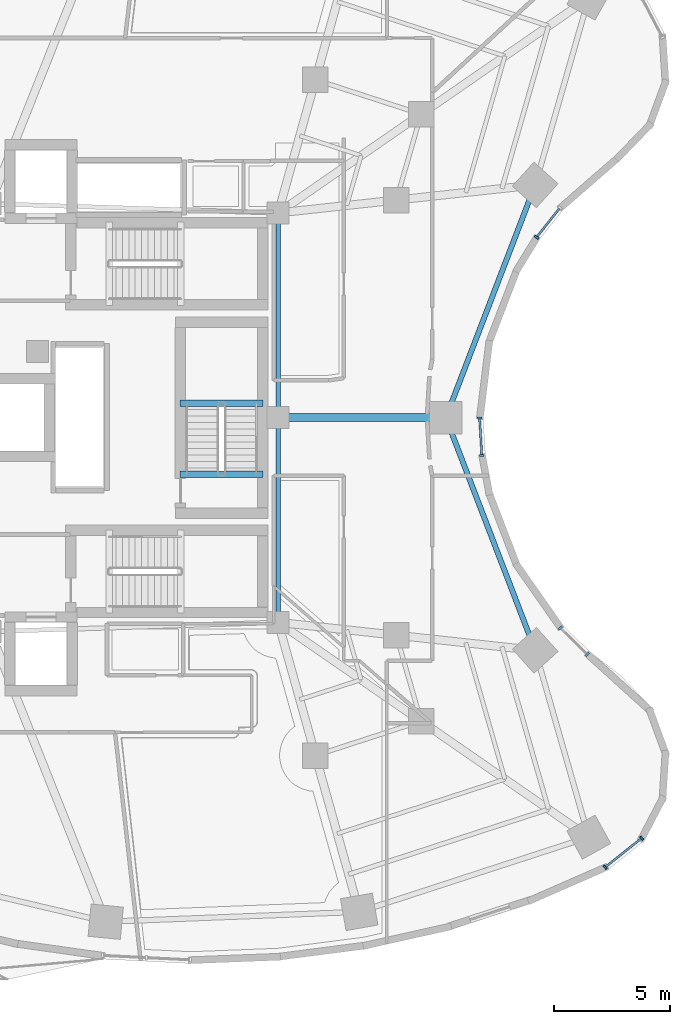
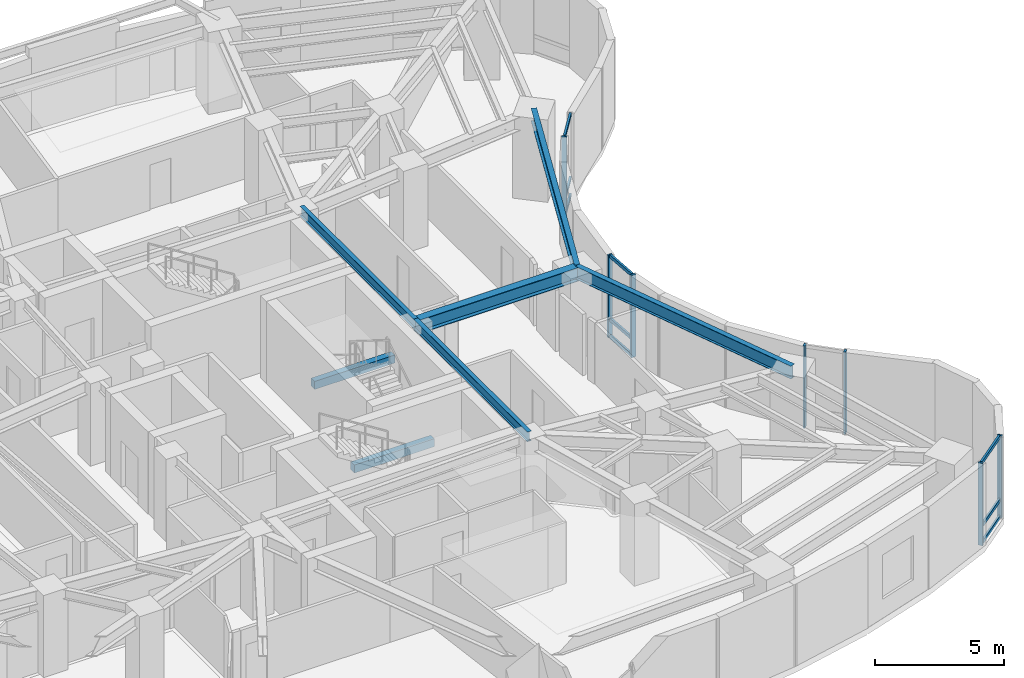
# One storey, part 4 of 15: 16 members, 7 beams, 4 elements without a shape of their own.
"""IFC4 building model written with IfcOpenShell, lengths in metres."""

from ifc_helpers import new_model, si_unit, direction, frame, origin, origin_2d, place, context, subcontext, project, spatial, rectangle, i_section, extrude, material, layer, layer_set, material_profile, profile_set, type_object, element, aggregate, save


model = new_model("IFC4")

# Units and contexts
model_context = context("Model", 3, precision=1e-05, world=origin(), true_north=direction((0.0, 1.0)))
body_context = subcontext(model_context, "Body", "Model", "MODEL_VIEW")
ifc_project = project(units=[si_unit("LENGTHUNIT", "METRE"), si_unit("AREAUNIT", "SQUARE_METRE"), si_unit("VOLUMEUNIT", "CUBIC_METRE"), si_unit("PLANEANGLEUNIT", "RADIAN"), si_unit("MASSUNIT", "GRAM", prefix="KILO")], contexts=[model_context])

# Site, building, storey
site_placement = place(None, origin())
site = spatial("IfcSite", under=ifc_project, at=site_placement, CompositionType="ELEMENT")
building_placement = place(site_placement, origin())
building = spatial("IfcBuilding", under=site, at=building_placement, Name="Korentha Bioscience Tower", CompositionType="ELEMENT")
storey_placement = place(building_placement, frame((0.0, 0.0, 76.199951171875)))
storey = spatial("IfcBuildingStorey", under=building, at=storey_placement, Name="L17", CompositionType="ELEMENT", Elevation=76.199951171875)

# Beams
ifc_material_1 = material(Name="Concrete C50", Category="concrete")
ifc_material_profile_1 = material_profile(ifc_material_1, rectangle(XDim=0.280029296875, YDim=0.3798828125, at=origin_2d()), Name="Concrete C50")
ifc_profile_set_1 = profile_set([ifc_material_profile_1], Name="Concrete C50 (ST-HB380)")
beam_type_1 = type_object("IfcBeamType", Name="Concrete Stair Header Beam RC 280x380", PredefinedType="BEAM", material=ifc_profile_set_1)
for number, where, z_axis, x_axis, name in (
    (1, (36.89990234375, 24.550048828125, -0.18994140625), (-1.0, 0.0, 0.0), (0.0, -1.0, 0.0), "L17 ST-3 Concrete Stair Header Beam"),
    (2, (36.89990234375, 27.6298828125, 1.91015625), (-1.0, 0.0, 0.0), (0.0, -1.0, 0.0), "L17 ST-3 Half-Landing Header Beam 1"),
):
    element("IfcBeam", number, at=place(storey_placement, frame(where, z_axis=z_axis, x_axis=x_axis)), inside=storey, type_object=beam_type_1, Name=name, PredefinedType="BEAM", context=body_context, shape_type="SweptSolid", body=[
        extrude(rectangle(XDim=0.280029296875, YDim=0.3798828125, at=origin_2d()), origin(), (0.0, 0.0, 1.0), 3.599853515625),
    ])
ifc_material_2 = material(Name="Steel S355", Category="steel")
ifc_material_profile_2 = material_profile(ifc_material_2, i_section(OverallWidth=0.18994140625, OverallDepth=0.45703125, WebThickness=0.009033203125, FlangeThickness=0.014404296875, at=origin_2d()), Name="Steel S355")
ifc_profile_set_2 = profile_set([ifc_material_profile_2], Name="Steel S355 (MB-460)")
beam_type_2 = type_object("IfcBeamType", Name="Mid-Ring Tie Girder W460x74", PredefinedType="BEAM", material=ifc_profile_set_2)
for number, where, z_axis, x_axis, name in (
    (3, (37.550048828125, 18.14990234375, 3.671630859375), (0.0, 1.0, 0.0), (-1.0, 0.0, 0.0), "L17 Core Ring Tie Girder 06"),
    (4, (37.550048828125, 27.0, 3.671630859375), (0.0, 1.0, 0.0), (-1.0, 0.0, 0.0), "L17 Core Ring Tie Girder 07"),
):
    element("IfcBeam", number, at=place(storey_placement, frame(where, z_axis=z_axis, x_axis=x_axis)), inside=storey, type_object=beam_type_2, Name=name, PredefinedType="BEAM", context=body_context, shape_type="SweptSolid", body=[
        extrude(i_section(OverallWidth=0.18994140625, OverallDepth=0.45703125, WebThickness=0.009033203125, FlangeThickness=0.014404296875, at=origin_2d()), origin(), (0.0, 0.0, 1.0), 8.85009765625),
    ])

# Curtain wall, members
ifc_material_3 = material(Name="Thermally Broken Aluminium Frame", Category="aluminium")
ifc_layer = layer(ifc_material_3, 0.219970703125, Name="Thermally Broken Aluminium Frame")
ifc_layer_set = layer_set([ifc_layer], Name="Thermally Broken Aluminium Frame (CW-T1)")
curtain_wall_type = type_object("IfcCurtainWallType", Name="Standard Bioscience Lab Unitised Curtain Wall CW-T1", PredefinedType="USERDEFINED", material=ifc_layer_set)
curtain_wall_1_placement = place(storey_placement, origin())
curtain_wall_1 = element("IfcCurtainWall", 5, at=curtain_wall_1_placement, inside=storey, type_object=curtain_wall_type, Name="L17 Curtain Wall 37", ObjectType="UNITISED", PredefinedType="USERDEFINED")
ifc_material_4 = material(Name="Anodised Aluminium 6063-T6", Category="aluminium")
ifc_material_profile_3 = material_profile(ifc_material_4, rectangle(XDim=0.090087890625, YDim=0.199951171875, at=origin_2d()), Name="Anodised Aluminium 6063-T6")
ifc_profile_set_3 = profile_set([ifc_material_profile_3], Name="Anodised Aluminium 6063-T6 (CW-MUL)")
member_type_1 = type_object("IfcMemberType", Name="Mullion RECT 90x200", PredefinedType="MULLION", material=ifc_profile_set_3)
member_1_placement = place(storey_placement, frame((51.6865234375, 7.56298828125, 0.0), z_axis=(0.0, 0.0, 1.0), x_axis=(0.782287851332, 0.62291710336, 0.0)))
member_1 = element("IfcMember", 6, at=member_1_placement, type_object=member_type_1, Name="CW-L17-37 Mullion 1", PredefinedType="MULLION", context=body_context, shape_type="SweptSolid", body=[
    extrude(rectangle(XDim=0.090087890625, YDim=0.199951171875, at=origin_2d()), origin(), (0.0, 0.0, 1.0), 3.900146484375),
])
member_2_placement = place(storey_placement, frame((53.264892578125, 8.81982421875, 0.0), z_axis=(0.0, 0.0, 1.0), x_axis=(0.782287851332, 0.62291710336, 0.0)))
member_2 = element("IfcMember", 7, at=member_2_placement, type_object=member_type_1, Name="CW-L17-37 Mullion 2", PredefinedType="MULLION", context=body_context, shape_type="SweptSolid", body=[
    extrude(rectangle(XDim=0.090087890625, YDim=0.199951171875, at=origin_2d()), origin(), (0.0, 0.0, 1.0), 3.900146484375),
])

curtain_wall_2_placement = place(storey_placement, origin())
curtain_wall_2 = element("IfcCurtainWall", 8, at=curtain_wall_2_placement, inside=storey, type_object=curtain_wall_type, Name="L17 Curtain Wall 43", ObjectType="UNITISED", PredefinedType="USERDEFINED")
member_3_placement = place(storey_placement, frame((50.913818359375, 16.76513671875, 0.0), z_axis=(0.0, 0.0, 1.0), x_axis=(-0.713279246754, 0.700879958445, 0.0)))
member_3 = element("IfcMember", 9, at=member_3_placement, type_object=member_type_1, Name="CW-L17-43 Mullion 1", PredefinedType="MULLION", context=body_context, shape_type="SweptSolid", body=[
    extrude(rectangle(XDim=0.090087890625, YDim=0.199951171875, at=origin_2d()), origin(), (0.0, 0.0, 1.0), 3.900146484375),
])
member_4_placement = place(storey_placement, frame((49.752685546875, 17.90625, 0.0), z_axis=(0.0, 0.0, 1.0), x_axis=(-0.713279246754, 0.700879958445, 0.0)))
member_4 = element("IfcMember", 10, at=member_4_placement, type_object=member_type_1, Name="CW-L17-43 Mullion 2", PredefinedType="MULLION", context=body_context, shape_type="SweptSolid", body=[
    extrude(rectangle(XDim=0.090087890625, YDim=0.199951171875, at=origin_2d()), origin(), (0.0, 0.0, 1.0), 3.900146484375),
])
aggregate(curtain_wall_2, [member_3, member_4])

curtain_wall_3_placement = place(storey_placement, origin())
curtain_wall_3 = element("IfcCurtainWall", 11, at=curtain_wall_3_placement, inside=storey, type_object=curtain_wall_type, Name="L17 Curtain Wall 49", ObjectType="UNITISED", PredefinedType="USERDEFINED")
member_5_placement = place(storey_placement, frame((46.355712890625, 25.3603515625, 0.0), z_axis=(0.0, 0.0, 1.0), x_axis=(-0.061008272998, 0.998137260413, 0.0)))
member_5 = element("IfcMember", 12, at=member_5_placement, type_object=member_type_1, Name="CW-L17-49 Mullion 1", PredefinedType="MULLION", context=body_context, shape_type="SweptSolid", body=[
    extrude(rectangle(XDim=0.090087890625, YDim=0.199951171875, at=origin_2d()), origin(), (0.0, 0.0, 1.0), 3.900146484375),
])
member_6_placement = place(storey_placement, frame((46.25634765625, 26.985107421875, 0.0), z_axis=(0.0, 0.0, 1.0), x_axis=(-0.061008272998, 0.998137260413, 0.0)))
member_6 = element("IfcMember", 13, at=member_6_placement, type_object=member_type_1, Name="CW-L17-49 Mullion 2", PredefinedType="MULLION", context=body_context, shape_type="SweptSolid", body=[
    extrude(rectangle(XDim=0.090087890625, YDim=0.199951171875, at=origin_2d()), origin(), (0.0, 0.0, 1.0), 3.900146484375),
])

# Curtain wall, member
curtain_wall_4_placement = place(storey_placement, origin())
curtain_wall_4 = element("IfcCurtainWall", 14, at=curtain_wall_4_placement, inside=storey, type_object=curtain_wall_type, Name="L17 Curtain Wall 55", ObjectType="UNITISED", PredefinedType="USERDEFINED")
member_7_placement = place(storey_placement, frame((48.719482421875, 34.7978515625, 0.0), z_axis=(0.0, 0.0, 1.0), x_axis=(0.622520324648, 0.782603632371, 0.0)))
member_7 = element("IfcMember", 15, at=member_7_placement, type_object=member_type_1, Name="CW-L17-55 Mullion 1", PredefinedType="MULLION", context=body_context, shape_type="SweptSolid", body=[
    extrude(rectangle(XDim=0.090087890625, YDim=0.199951171875, at=origin_2d()), origin(), (0.0, 0.0, 1.0), 3.900146484375),
])

# Beams
ifc_material_profile_4 = material_profile(ifc_material_2, i_section(OverallWidth=0.22802734375, OverallDepth=0.60791015625, WebThickness=0.01123046875, FlangeThickness=0.017333984375, at=origin_2d()), Name="Steel S355")
ifc_profile_set_4 = profile_set([ifc_material_profile_4], Name="Steel S355 (SB-610)")
beam_type_3 = type_object("IfcBeamType", Name="Perimeter Ring Spandrel Girder W610x113", PredefinedType="SPANDREL", material=ifc_profile_set_4)
for number, where, z_axis, x_axis, name in (
    (16, (48.661865234375, 16.939208984375, 3.595947265625), (-0.358473520253, 0.93353989485, 0.0), (-0.93353989485, -0.358473520253, 0.0), "L17 Perimeter Spandrel Girder 14"),
    (17, (44.798583984375, 27.0, 3.595947265625), (0.358473520253, 0.93353989485, 0.0), (-0.93353989485, 0.358473520253, 0.0), "L17 Perimeter Spandrel Girder 15"),
):
    element("IfcBeam", number, at=place(storey_placement, frame(where, z_axis=z_axis, x_axis=x_axis)), inside=storey, type_object=beam_type_3, Name=name, PredefinedType="SPANDREL", context=body_context, shape_type="SweptSolid", body=[
        extrude(i_section(OverallWidth=0.22802734375, OverallDepth=0.60791015625, WebThickness=0.01123046875, FlangeThickness=0.017333984375, at=origin_2d()), origin(), (0.0, 0.0, 1.0), 10.777099609375),
    ])
ifc_material_profile_5 = material_profile(ifc_material_2, i_section(OverallWidth=0.35009765625, OverallDepth=0.64990234375, WebThickness=0.01611328125, FlangeThickness=0.02490234375, at=origin_2d()), Name="Steel S355")
ifc_profile_set_5 = profile_set([ifc_material_profile_5], Name="Steel S355 (RB-650)")
beam_type_4 = type_object("IfcBeamType", Name="Radial Laboratory Girder CVS 650x208", PredefinedType="BEAM", material=ifc_profile_set_5)
beam_placement = place(storey_placement, frame((37.550048828125, 27.0, 3.574951171875), z_axis=(1.0, 0.0, 0.0), x_axis=(0.0, 1.0, 0.0)))
element("IfcBeam", 18, at=beam_placement, inside=storey, type_object=beam_type_4, Name="L17 Radial Girder 15", PredefinedType="BEAM", context=body_context, shape_type="SweptSolid", body=[
    extrude(i_section(OverallWidth=0.35009765625, OverallDepth=0.64990234375, WebThickness=0.01611328125, FlangeThickness=0.02490234375, at=origin_2d()), origin(), (0.0, 0.0, 1.0), 7.24853515625),
])

# Member
ifc_material_profile_6 = material_profile(ifc_material_4, rectangle(XDim=0.090087890625, YDim=0.159912109375, at=origin_2d()), Name="Anodised Aluminium 6063-T6")
ifc_profile_set_6 = profile_set([ifc_material_profile_6], Name="Anodised Aluminium 6063-T6 (CW-TRN)")
member_type_2 = type_object("IfcMemberType", Name="Transom RECT 90x160", PredefinedType="USERDEFINED", material=ifc_profile_set_6)
member_8_placement = place(storey_placement, frame((51.7216796875, 7.591064453125, 0.045166015625), z_axis=(0.78232471634, 0.622870803782, 0.0), x_axis=(-0.622870803782, 0.78232471634, 0.0)))
member_8 = element("IfcMember", 19, at=member_8_placement, type_object=member_type_2, Name="CW-L17-37 Bay 1 Transom 1", ObjectType="TRANSOM", PredefinedType="USERDEFINED", context=body_context, shape_type="SweptSolid", body=[
    extrude(rectangle(XDim=0.090087890625, YDim=0.159912109375, at=origin_2d()), origin(), (0.0, 0.0, 1.0), 1.927734375),
])

member_9_placement = place(storey_placement, frame((51.7216796875, 7.591064453125, 0.85009765625), z_axis=(0.78232471634, 0.622870803782, 0.0), x_axis=(-0.622870803782, 0.78232471634, 0.0)))
member_9 = element("IfcMember", 20, at=member_9_placement, type_object=member_type_2, Name="CW-L17-37 Bay 1 Transom 2", ObjectType="TRANSOM", PredefinedType="USERDEFINED", context=body_context, shape_type="SweptSolid", body=[
    extrude(rectangle(XDim=0.090087890625, YDim=0.159912109375, at=origin_2d()), origin(), (0.0, 0.0, 1.0), 1.927734375),
])

member_10_placement = place(storey_placement, frame((51.7216796875, 7.591064453125, 3.85498046875), z_axis=(0.78232471634, 0.622870803782, 0.0), x_axis=(-0.622870803782, 0.78232471634, 0.0)))
member_10 = element("IfcMember", 21, at=member_10_placement, type_object=member_type_2, Name="CW-L17-37 Bay 1 Transom 3", ObjectType="TRANSOM", PredefinedType="USERDEFINED", context=body_context, shape_type="SweptSolid", body=[
    extrude(rectangle(XDim=0.090087890625, YDim=0.159912109375, at=origin_2d()), origin(), (0.0, 0.0, 1.0), 1.927734375),
])

aggregate(curtain_wall_1, [member_1, member_2, member_8, member_9, member_10])

member_11_placement = place(storey_placement, frame((46.352783203125, 25.4052734375, 0.045166015625), z_axis=(-0.060964804815, 0.998139916331, 0.0), x_axis=(-0.998139916331, -0.060964804815, 0.0)))
member_11 = element("IfcMember", 22, at=member_11_placement, type_object=member_type_2, Name="CW-L17-49 Bay 1 Transom 1", ObjectType="TRANSOM", PredefinedType="USERDEFINED", context=body_context, shape_type="SweptSolid", body=[
    extrude(rectangle(XDim=0.090087890625, YDim=0.159912109375, at=origin_2d()), origin(), (0.0, 0.0, 1.0), 1.537841796875),
])

member_12_placement = place(storey_placement, frame((46.352783203125, 25.4052734375, 0.85009765625), z_axis=(-0.060964804815, 0.998139916331, 0.0), x_axis=(-0.998139916331, -0.060964804815, 0.0)))
member_12 = element("IfcMember", 23, at=member_12_placement, type_object=member_type_2, Name="CW-L17-49 Bay 1 Transom 2", ObjectType="TRANSOM", PredefinedType="USERDEFINED", context=body_context, shape_type="SweptSolid", body=[
    extrude(rectangle(XDim=0.090087890625, YDim=0.159912109375, at=origin_2d()), origin(), (0.0, 0.0, 1.0), 1.537841796875),
])

member_13_placement = place(storey_placement, frame((46.352783203125, 25.4052734375, 3.85498046875), z_axis=(-0.060964804815, 0.998139916331, 0.0), x_axis=(-0.998139916331, -0.060964804815, 0.0)))
member_13 = element("IfcMember", 24, at=member_13_placement, type_object=member_type_2, Name="CW-L17-49 Bay 1 Transom 3", ObjectType="TRANSOM", PredefinedType="USERDEFINED", context=body_context, shape_type="SweptSolid", body=[
    extrude(rectangle(XDim=0.090087890625, YDim=0.159912109375, at=origin_2d()), origin(), (0.0, 0.0, 1.0), 1.537841796875),
])

aggregate(curtain_wall_3, [member_5, member_6, member_11, member_12, member_13])

member_14_placement = place(storey_placement, frame((48.74755859375, 34.8330078125, 0.045166015625), z_axis=(0.622563336945, 0.782569416405, 0.0), x_axis=(-0.782569416405, 0.622563336945, 0.0)))
member_14 = element("IfcMember", 25, at=member_14_placement, type_object=member_type_2, Name="CW-L17-55 Bay 1 Transom 1", ObjectType="TRANSOM", PredefinedType="USERDEFINED", context=body_context, shape_type="SweptSolid", body=[
    extrude(rectangle(XDim=0.090087890625, YDim=0.159912109375, at=origin_2d()), origin(), (0.0, 0.0, 1.0), 1.5380859375),
])

member_15_placement = place(storey_placement, frame((48.74755859375, 34.8330078125, 0.85009765625), z_axis=(0.622563336945, 0.782569416405, 0.0), x_axis=(-0.782569416405, 0.622563336945, 0.0)))
member_15 = element("IfcMember", 26, at=member_15_placement, type_object=member_type_2, Name="CW-L17-55 Bay 1 Transom 2", ObjectType="TRANSOM", PredefinedType="USERDEFINED", context=body_context, shape_type="SweptSolid", body=[
    extrude(rectangle(XDim=0.090087890625, YDim=0.159912109375, at=origin_2d()), origin(), (0.0, 0.0, 1.0), 1.5380859375),
])

member_16_placement = place(storey_placement, frame((48.74755859375, 34.8330078125, 3.85498046875), z_axis=(0.622563336945, 0.782569416405, 0.0), x_axis=(-0.782569416405, 0.622563336945, 0.0)))
member_16 = element("IfcMember", 27, at=member_16_placement, type_object=member_type_2, Name="CW-L17-55 Bay 1 Transom 3", ObjectType="TRANSOM", PredefinedType="USERDEFINED", context=body_context, shape_type="SweptSolid", body=[
    extrude(rectangle(XDim=0.090087890625, YDim=0.159912109375, at=origin_2d()), origin(), (0.0, 0.0, 1.0), 1.5380859375),
])

aggregate(curtain_wall_4, [member_7, member_14, member_15, member_16])

save(model, "model.ifc")
